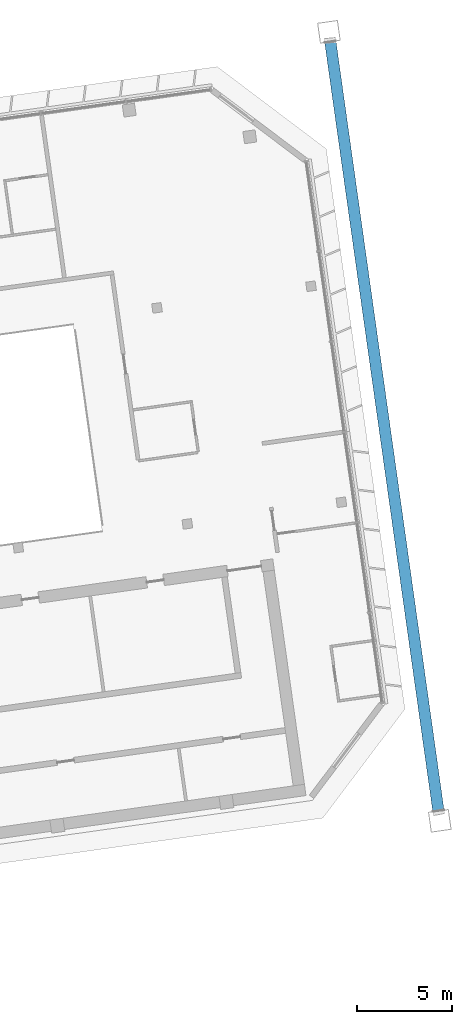
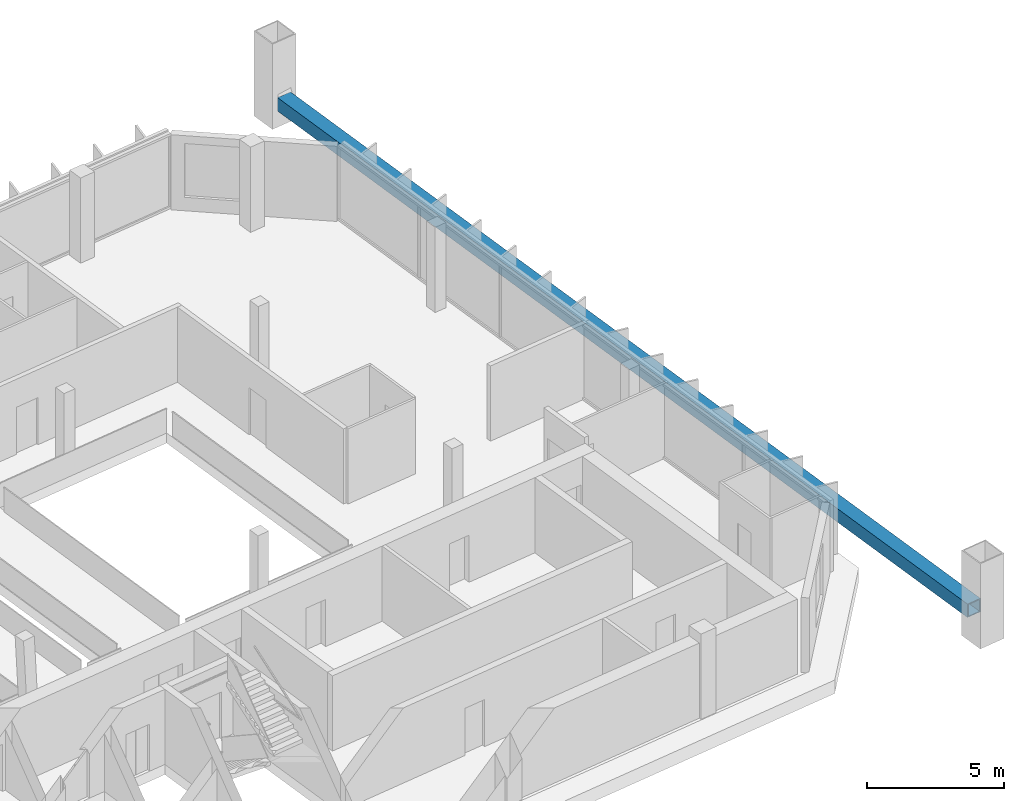
# One storey, part 12 of 26: 1 member.
"""IFC4 building model written with IfcOpenShell, lengths in metres."""

from ifc_helpers import new_model, si_unit, direction, frame, origin, origin_2d, place, context, subcontext, project, spatial, hollow_rectangle, extrude, material, material_profile, profile_set, type_object, element, save


model = new_model("IFC4")

# Units and contexts
model_context = context("Model", 3, precision=1e-05, world=origin(), true_north=direction((0.0, 1.0)))
body_context = subcontext(model_context, "Body", "Model", "MODEL_VIEW")
ifc_project = project(units=[si_unit("LENGTHUNIT", "METRE"), si_unit("AREAUNIT", "SQUARE_METRE"), si_unit("VOLUMEUNIT", "CUBIC_METRE"), si_unit("PLANEANGLEUNIT", "RADIAN"), si_unit("MASSUNIT", "GRAM", prefix="KILO")], contexts=[model_context])

# Site, building, storey
site_placement = place(None, origin())
site = spatial("IfcSite", under=ifc_project, at=site_placement, CompositionType="ELEMENT")
building_placement = place(site_placement, origin())
building = spatial("IfcBuilding", under=site, at=building_placement, Name="Mirante Cascada Hotel Towers", CompositionType="ELEMENT")
storey_placement = place(building_placement, frame((0.0, 0.0, 216.6)))
storey = spatial("IfcBuildingStorey", under=building, at=storey_placement, Name="L51", CompositionType="ELEMENT", Elevation=216.6)

# Member
ifc_material = material(Name="Steel ASTM A572 Gr 50", Category="steel")
ifc_material_profile = material_profile(ifc_material, hollow_rectangle(XDim=0.6, YDim=0.6, WallThickness=0.04, at=origin_2d()), Name="Box chord 600x600x40 ASTM A572 Gr 50")
ifc_profile_set = profile_set([ifc_material_profile], Name="Steel ASTM A572 Gr 50")
member_type = type_object("IfcMemberType", Name="Box chord 600x600x40 ASTM A572 Gr 50", PredefinedType="CHORD", material=ifc_profile_set)
member_placement = place(storey_placement, frame((79.3915, -15.7297, 1.0), z_axis=(-0.1391743, 0.9902679, 0.0), x_axis=(-0.9902679, -0.1391743, 0.0)))
element("IfcMember", 1, at=member_placement, inside=storey, type_object=member_type, Name="exochord T2 L51 1", PredefinedType="CHORD", context=body_context, shape_type="SweptSolid", body=[
    extrude(hollow_rectangle(XDim=0.6, YDim=0.6, WallThickness=0.04, at=origin_2d()), origin(), (0.0, 0.0, 1.0), 40.94),
])

save(model, "model.ifc")
